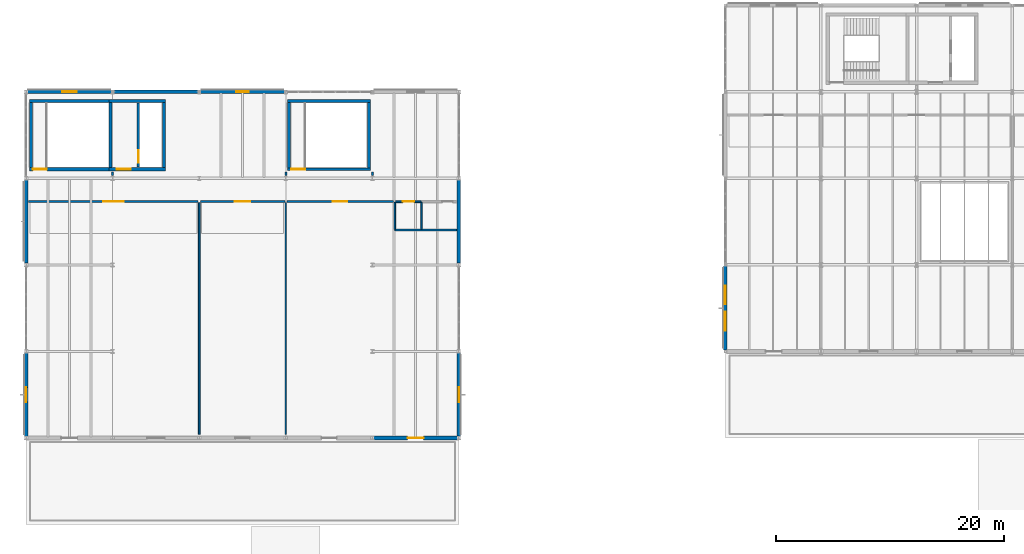
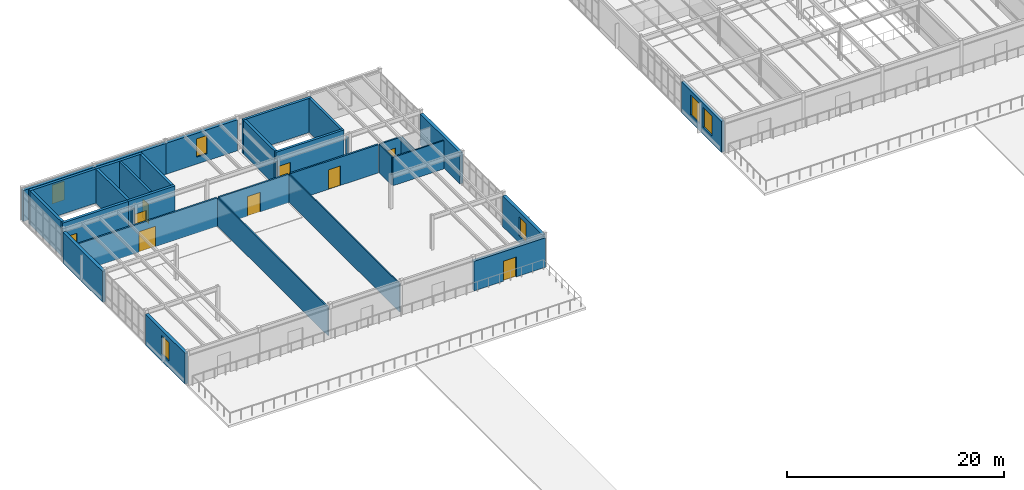
# One storey, part 90 of 114: 33 walls, 9 doors, 6 windows, 15 openings.
"""IFC4 building model written with IfcOpenShell, lengths in metres."""

from ifc_helpers import new_model, si_unit, direction, frame, frame_2d, origin, place, context, subcontext, project, spatial, rectangle, extrude, material, layer, layer_set, type_object, element, fill, save


model = new_model("IFC4")

# Units and contexts
model_context = context("Model", 3, precision=1e-05, world=origin(), true_north=direction((0.0, 1.0)))
body_context = subcontext(model_context, "Body", "Model", "MODEL_VIEW")
ifc_project = project(units=[si_unit("LENGTHUNIT", "METRE"), si_unit("AREAUNIT", "SQUARE_METRE"), si_unit("VOLUMEUNIT", "CUBIC_METRE"), si_unit("PLANEANGLEUNIT", "RADIAN"), si_unit("MASSUNIT", "GRAM", prefix="KILO")], contexts=[model_context])

# Site, building, storey
site_placement = place(None, origin())
site = spatial("IfcSite", under=ifc_project, at=site_placement, CompositionType="ELEMENT")
building_placement = place(site_placement, origin())
building = spatial("IfcBuilding", under=site, at=building_placement, Name="Montecoro Central Library", CompositionType="ELEMENT")
storey_placement = place(building_placement, frame((0.0, 0.0, 13.260009765625)))
storey = spatial("IfcBuildingStorey", under=building, at=storey_placement, Name="L03", CompositionType="ELEMENT", Elevation=13.260009765625)

# Wall, openings, windows
ifc_material_1 = material(Name="Roman travertine stone clad concrete C35/45", Category="masonry")
ifc_layer_1 = layer(ifc_material_1, 0.324951171875)
ifc_layer_set_1 = layer_set([ifc_layer_1], Name="Roman travertine stone clad concrete C35/45")
wall_type_1 = type_object("IfcWallType", Name="EW-TRV-325", PredefinedType="SOLIDWALL", material=ifc_layer_set_1)
wall_1_placement = place(storey_placement, frame((66.39990234375, 96.0869140625, 0.0), z_axis=(0.0, 0.0, 1.0), x_axis=(0.0, -1.0, 0.0)))
wall_1 = element("IfcWall", 1, at=wall_1_placement, inside=storey, type_object=wall_type_1, Name="V2-L03-EW-W0", PredefinedType="SOLIDWALL", context=body_context, shape_type="SweptSolid", body=[
    extrude(rectangle(XDim=7.3740234375, YDim=0.324951171875, at=frame_2d((3.68701171875, 0.0))), origin(), (0.0, 0.0, 1.0), 3.47998046875),
])
opening_1_placement = place(wall_1_placement, frame((1.7119140625, 0.0, 0.800048828125)))
opening_1 = element("IfcOpeningElement", 2, at=opening_1_placement, cuts=wall_1, Name="Opening WN-09", PredefinedType="OPENING", context=body_context, shape_type="SweptSolid", body=[
    extrude(rectangle(XDim=1.64990234375, YDim=2.25, at=frame_2d((0.824951171875, 1.125))), frame((0.0, 0.17236328125, 0.0), z_axis=(0.0, -1.0, 0.0), x_axis=(1.0, 0.0, 0.0)), (0.0, 0.0, 1.0), 0.344970703125),
])
opening_2_placement = place(wall_1_placement, frame((4.011962890625, 0.0, 0.800048828125)))
opening_2 = element("IfcOpeningElement", 3, at=opening_2_placement, cuts=wall_1, Name="Opening WN-09", PredefinedType="OPENING", context=body_context, shape_type="SweptSolid", body=[
    extrude(rectangle(XDim=1.64990234375, YDim=2.25, at=frame_2d((0.824951171875, 1.125))), frame((0.0, 0.17236328125, 0.0), z_axis=(0.0, -1.0, 0.0), x_axis=(1.0, 0.0, 0.0)), (0.0, 0.0, 1.0), 0.344970703125),
])
ifc_material_2 = material(Name="Laminated low-E double glazing", Category="glass")
window_type_1 = type_object("IfcWindowType", Name="WN-RDG-165", PartitioningType="SINGLE_PANEL", PredefinedType="WINDOW", material=ifc_material_2)
window_1_placement = place(opening_1_placement, origin())
window_1 = element("IfcWindow", 4, at=window_1_placement, inside=storey, type_object=window_type_1, Name="V2-L03-WN-W0-1", OverallHeight=2.25, OverallWidth=1.64990234375, PartitioningType="SINGLE_PANEL", PredefinedType="WINDOW", context=body_context, shape_type="SweptSolid", body=[
    extrude(rectangle(XDim=1.64990234375, YDim=2.25, at=frame_2d((0.824951171875, 1.125))), frame((0.0, 0.030029296875, 0.0), z_axis=(0.0, -1.0, 0.0), x_axis=(1.0, 0.0, 0.0)), (0.0, 0.0, 1.0), 0.06005859375),
])
fill(opening_1, window_1)
window_2_placement = place(opening_2_placement, origin())
window_2 = element("IfcWindow", 5, at=window_2_placement, inside=storey, type_object=window_type_1, Name="V2-L03-WN-W0-2", OverallHeight=2.25, OverallWidth=1.64990234375, PartitioningType="SINGLE_PANEL", PredefinedType="WINDOW", context=body_context, shape_type="SweptSolid", body=[
    extrude(rectangle(XDim=1.64990234375, YDim=2.25, at=frame_2d((0.824951171875, 1.125))), frame((0.0, 0.030029296875, 0.0), z_axis=(0.0, -1.0, 0.0), x_axis=(1.0, 0.0, 0.0)), (0.0, 0.0, 1.0), 0.06005859375),
])
fill(opening_2, window_2)

# Wall, opening, door
wall_2_placement = place(storey_placement, frame((35.404052734375, 81.0, 0.0), z_axis=(0.0, 0.0, 1.0), x_axis=(1.0, 0.0, 0.0)))
wall_2 = element("IfcWall", 6, at=wall_2_placement, inside=storey, type_object=wall_type_1, Name="V4-L03-EW-S4", PredefinedType="SOLIDWALL", context=body_context, shape_type="SweptSolid", body=[
    extrude(rectangle(XDim=7.592041015625, YDim=0.324951171875, at=frame_2d((3.7958984375, 0.0))), origin(), (0.0, 0.0, 1.0), 3.320068359375),
])
opening_3_placement = place(wall_2_placement, frame((3.095947265625, 0.0, 0.0)))
opening_3 = element("IfcOpeningElement", 7, at=opening_3_placement, cuts=wall_2, Name="Opening ED-07", PredefinedType="OPENING", context=body_context, shape_type="SweptSolid", body=[
    extrude(rectangle(XDim=1.39990234375, YDim=2.25, at=frame_2d((0.699951171875, 1.125))), frame((0.0, 0.17236328125, 0.0), z_axis=(0.0, -1.0, 0.0), x_axis=(1.0, 0.0, 0.0)), (0.0, 0.0, 1.0), 0.344970703125),
])
ifc_material_3 = material(Name="Thermally broken architectural bronze and safety glass", Category="glass")
door_type_1 = type_object("IfcDoorType", Name="ED-TER-140", OperationType="NOTDEFINED", PredefinedType="DOOR", material=ifc_material_3)
door_1_placement = place(opening_3_placement, origin())
door_1 = element("IfcDoor", 8, at=door_1_placement, inside=storey, type_object=door_type_1, Name="V4-L03-TD-S4", OperationType="SINGLE_SWING_LEFT", OverallHeight=2.25, OverallWidth=1.39990234375, PredefinedType="DOOR", context=body_context, shape_type="SweptSolid", body=[
    extrude(rectangle(XDim=1.39990234375, YDim=2.25, at=frame_2d((0.699951171875, 1.125))), frame((0.0, 0.02490234375, 0.0), z_axis=(0.0, -1.0, 0.0), x_axis=(1.0, 0.0, 0.0)), (0.0, 0.0, 1.0), 0.050048828125),
])
fill(opening_3, door_1)

# Wall, opening, window
wall_3_placement = place(storey_placement, frame((43.0, 81.14794921875, 0.0), z_axis=(0.0, 0.0, 1.0), x_axis=(0.0, 1.0, 0.0)))
wall_3 = element("IfcWall", 9, at=wall_3_placement, inside=storey, type_object=wall_type_1, Name="V4-L03-EW-E0", PredefinedType="SOLIDWALL", context=body_context, shape_type="SweptSolid", body=[
    extrude(rectangle(XDim=7.303955078125, YDim=0.324951171875, at=frame_2d((3.65185546875, 0.0))), origin(), (0.0, 0.0, 1.0), 3.47998046875),
])
opening_4_placement = place(wall_3_placement, frame((3.001953125, 0.0, 0.800048828125)))
opening_4 = element("IfcOpeningElement", 10, at=opening_4_placement, cuts=wall_3, Name="Opening WN-15", PredefinedType="OPENING", context=body_context, shape_type="SweptSolid", body=[
    extrude(rectangle(XDim=1.300048828125, YDim=2.1201171875, at=frame_2d((0.64990234375, 1.06005859375))), frame((0.0, 0.17236328125, 0.0), z_axis=(0.0, -1.0, 0.0), x_axis=(1.0, 0.0, 0.0)), (0.0, 0.0, 1.0), 0.344970703125),
])
ifc_material_4 = material(Name="Acoustic laminated double glazing", Category="glass")
window_type_2 = type_object("IfcWindowType", Name="WN-AUD-130", PartitioningType="SINGLE_PANEL", PredefinedType="WINDOW", material=ifc_material_4)
window_3_placement = place(opening_4_placement, origin())
window_3 = element("IfcWindow", 11, at=window_3_placement, inside=storey, type_object=window_type_2, Name="V4-L03-WN-E0-1", OverallHeight=2.1201171875, OverallWidth=1.300048828125, PartitioningType="SINGLE_PANEL", PredefinedType="WINDOW", context=body_context, shape_type="SweptSolid", body=[
    extrude(rectangle(XDim=1.300048828125, YDim=2.1201171875, at=frame_2d((0.64990234375, 1.06005859375))), frame((0.0, 0.030029296875, 0.0), z_axis=(0.0, -1.0, 0.0), x_axis=(1.0, 0.0, 0.0)), (0.0, 0.0, 1.0), 0.06005859375),
])
fill(opening_4, window_3)

# Wall
wall_4_placement = place(storey_placement, frame((43.0, 96.347900390625, 0.0), z_axis=(0.0, 0.0, 1.0), x_axis=(0.0, 1.0, 0.0)))
element("IfcWall", 12, at=wall_4_placement, inside=storey, type_object=wall_type_1, Name="V4-L03-EW-E2", PredefinedType="SOLIDWALL", context=body_context, shape_type="SweptSolid", body=[
    extrude(rectangle(XDim=7.30419921875, YDim=0.324951171875, at=frame_2d((3.652099609375, 0.0))), origin(), (0.0, 0.0, 1.0), 3.47998046875),
])

# Wall, opening, window
wall_5_placement = place(storey_placement, frame((27.7958984375, 111.39990234375, 0.0), z_axis=(0.0, 0.0, 1.0), x_axis=(-1.0, 0.0, 0.0)))
wall_5 = element("IfcWall", 13, at=wall_5_placement, inside=storey, type_object=wall_type_1, Name="V4-L03-EW-N2", PredefinedType="SOLIDWALL", context=body_context, shape_type="SweptSolid", body=[
    extrude(rectangle(XDim=7.591796875, YDim=0.324951171875, at=frame_2d((3.7958984375, 0.0))), origin(), (0.0, 0.0, 1.0), 3.47998046875),
])
opening_5_placement = place(wall_5_placement, frame((3.24609375, 0.0, 0.800048828125)))
opening_5 = element("IfcOpeningElement", 14, at=opening_5_placement, cuts=wall_5, Name="Opening WN-14", PredefinedType="OPENING", context=body_context, shape_type="SweptSolid", body=[
    extrude(rectangle(XDim=1.10009765625, YDim=2.050048828125, at=frame_2d((0.550048828125, 1.02490234375))), frame((0.0, 0.17236328125, 0.0), z_axis=(0.0, -1.0, 0.0), x_axis=(1.0, 0.0, 0.0)), (0.0, 0.0, 1.0), 0.344970703125),
])
window_type_3 = type_object("IfcWindowType", Name="WN-AUD-110", PartitioningType="SINGLE_PANEL", PredefinedType="WINDOW", material=ifc_material_4)
window_4_placement = place(opening_5_placement, origin())
window_4 = element("IfcWindow", 15, at=window_4_placement, inside=storey, type_object=window_type_3, Name="V4-L03-WN-N2-1", OverallHeight=2.050048828125, OverallWidth=1.10009765625, PartitioningType="SINGLE_PANEL", PredefinedType="WINDOW", context=body_context, shape_type="SweptSolid", body=[
    extrude(rectangle(XDim=1.10009765625, YDim=2.050048828125, at=frame_2d((0.550048828125, 1.02490234375))), frame((0.0, 0.030029296875, 0.0), z_axis=(0.0, -1.0, 0.0), x_axis=(1.0, 0.0, 0.0)), (0.0, 0.0, 1.0), 0.06005859375),
])
fill(opening_5, window_4)

# Wall
wall_6_placement = place(storey_placement, frame((20.196044921875, 111.39990234375, 0.0), z_axis=(0.0, 0.0, 1.0), x_axis=(-1.0, 0.0, 0.0)))
element("IfcWall", 16, at=wall_6_placement, inside=storey, type_object=wall_type_1, Name="V4-L03-EW-N1", PredefinedType="SOLIDWALL", context=body_context, shape_type="SweptSolid", body=[
    extrude(rectangle(XDim=7.592041015625, YDim=0.324951171875, at=frame_2d((3.7958984375, 0.0))), origin(), (0.0, 0.0, 1.0), 3.47998046875),
])

# Wall, opening, window
wall_7_placement = place(storey_placement, frame((12.595947265625, 111.39990234375, 0.0), z_axis=(0.0, 0.0, 1.0), x_axis=(-1.0, 0.0, 0.0)))
wall_7 = element("IfcWall", 17, at=wall_7_placement, inside=storey, type_object=wall_type_1, Name="V4-L03-EW-N0", PredefinedType="SOLIDWALL", context=body_context, shape_type="SweptSolid", body=[
    extrude(rectangle(XDim=7.592041015625, YDim=0.324951171875, at=frame_2d((3.7958984375, 0.0))), origin(), (0.0, 0.0, 1.0), 3.47998046875),
])
opening_6_placement = place(wall_7_placement, frame((3.14599609375, 0.0, 0.800048828125)))
opening_6 = element("IfcOpeningElement", 18, at=opening_6_placement, cuts=wall_7, Name="Opening WN-15", PredefinedType="OPENING", context=body_context, shape_type="SweptSolid", body=[
    extrude(rectangle(XDim=1.300048828125, YDim=2.1201171875, at=frame_2d((0.64990234375, 1.06005859375))), frame((0.0, 0.17236328125, 0.0), z_axis=(0.0, -1.0, 0.0), x_axis=(1.0, 0.0, 0.0)), (0.0, 0.0, 1.0), 0.344970703125),
])
window_5_placement = place(opening_6_placement, origin())
window_5 = element("IfcWindow", 19, at=window_5_placement, inside=storey, type_object=window_type_2, Name="V4-L03-WN-N0-1", OverallHeight=2.1201171875, OverallWidth=1.300048828125, PartitioningType="SINGLE_PANEL", PredefinedType="WINDOW", context=body_context, shape_type="SweptSolid", body=[
    extrude(rectangle(XDim=1.300048828125, YDim=2.1201171875, at=frame_2d((0.64990234375, 1.06005859375))), frame((0.0, 0.030029296875, 0.0), z_axis=(0.0, -1.0, 0.0), x_axis=(1.0, 0.0, 0.0)), (0.0, 0.0, 1.0), 0.06005859375),
])
fill(opening_6, window_5)

# Wall
wall_8_placement = place(storey_placement, frame((5.0, 103.652099609375, 0.0), z_axis=(0.0, 0.0, 1.0), x_axis=(0.0, -1.0, 0.0)))
element("IfcWall", 20, at=wall_8_placement, inside=storey, type_object=wall_type_1, Name="V4-L03-EW-W2", PredefinedType="SOLIDWALL", context=body_context, shape_type="SweptSolid", body=[
    extrude(rectangle(XDim=7.30419921875, YDim=0.324951171875, at=frame_2d((3.652099609375, 0.0))), origin(), (0.0, 0.0, 1.0), 3.47998046875),
])

# Wall, opening, window
wall_9_placement = place(storey_placement, frame((5.0, 88.451904296875, 0.0), z_axis=(0.0, 0.0, 1.0), x_axis=(0.0, -1.0, 0.0)))
wall_9 = element("IfcWall", 21, at=wall_9_placement, inside=storey, type_object=wall_type_1, Name="V4-L03-EW-W0", PredefinedType="SOLIDWALL", context=body_context, shape_type="SweptSolid", body=[
    extrude(rectangle(XDim=7.303955078125, YDim=0.324951171875, at=frame_2d((3.65185546875, 0.0))), origin(), (0.0, 0.0, 1.0), 3.47998046875),
])
opening_7_placement = place(wall_9_placement, frame((3.001953125, 0.0, 0.800048828125)))
opening_7 = element("IfcOpeningElement", 22, at=opening_7_placement, cuts=wall_9, Name="Opening WN-15", PredefinedType="OPENING", context=body_context, shape_type="SweptSolid", body=[
    extrude(rectangle(XDim=1.300048828125, YDim=2.1201171875, at=frame_2d((0.64990234375, 1.06005859375))), frame((0.0, 0.17236328125, 0.0), z_axis=(0.0, -1.0, 0.0), x_axis=(1.0, 0.0, 0.0)), (0.0, 0.0, 1.0), 0.344970703125),
])
window_6_placement = place(opening_7_placement, origin())
window_6 = element("IfcWindow", 23, at=window_6_placement, inside=storey, type_object=window_type_2, Name="V4-L03-WN-W0-1", OverallHeight=2.1201171875, OverallWidth=1.300048828125, PartitioningType="SINGLE_PANEL", PredefinedType="WINDOW", context=body_context, shape_type="SweptSolid", body=[
    extrude(rectangle(XDim=1.300048828125, YDim=2.1201171875, at=frame_2d((0.64990234375, 1.06005859375))), frame((0.0, 0.030029296875, 0.0), z_axis=(0.0, -1.0, 0.0), x_axis=(1.0, 0.0, 0.0)), (0.0, 0.0, 1.0), 0.06005859375),
])
fill(opening_7, window_6)

# Wall, opening, door
ifc_material_5 = material(Name="Gypsum fire-rated partition")
ifc_layer_2 = layer(ifc_material_5, 0.179931640625)
ifc_layer_set_2 = layer_set([ifc_layer_2], Name="Gypsum fire-rated partition")
wall_type_2 = type_object("IfcWallType", Name="IW-COR-180", PredefinedType="PARTITIONING", material=ifc_layer_set_2)
wall_10_placement = place(storey_placement, frame((5.199951171875, 101.75, 0.0), z_axis=(0.0, 0.0, 1.0), x_axis=(1.0, 0.0, 0.0)))
wall_10 = element("IfcWall", 24, at=wall_10_placement, inside=storey, type_object=wall_type_2, Name="CORW-V4-L03-01", PredefinedType="PARTITIONING", context=body_context, shape_type="SweptSolid", body=[
    extrude(rectangle(XDim=14.91015625, YDim=0.179931640625, at=frame_2d((7.455078125, 0.0))), origin(), (0.0, 0.0, 1.0), 3.179931640625),
])
opening_8_placement = place(wall_10_placement, frame((6.554931640625, 0.0, 0.0)))
opening_8 = element("IfcOpeningElement", 25, at=opening_8_placement, cuts=wall_10, Name="Opening ID-10", PredefinedType="OPENING", context=body_context, shape_type="SweptSolid", body=[
    extrude(rectangle(XDim=1.800048828125, YDim=2.300048828125, at=frame_2d((0.89990234375, 1.14990234375))), frame((0.0, 0.099853515625, 0.0), z_axis=(0.0, -1.0, 0.0), x_axis=(1.0, 0.0, 0.0)), (0.0, 0.0, 1.0), 0.199951171875),
])
ifc_material_6 = material(Name="Solid oak and fire-rated steel door", Category="steel")
door_type_2 = type_object("IfcDoorType", Name="ID-AUD-180", OperationType="NOTDEFINED", PredefinedType="DOOR", material=ifc_material_6)
door_2_placement = place(opening_8_placement, origin())
door_2 = element("IfcDoor", 26, at=door_2_placement, inside=storey, type_object=door_type_2, Name="DR-SP-V4-L03-R1P1", OperationType="DOUBLE_DOOR_SINGLE_SWING", OverallHeight=2.300048828125, OverallWidth=1.800048828125, PredefinedType="DOOR", context=body_context, shape_type="SweptSolid", body=[
    extrude(rectangle(XDim=1.800048828125, YDim=2.300048828125, at=frame_2d((0.89990234375, 1.14990234375))), frame((0.0, 0.02490234375, 0.0), z_axis=(0.0, -1.0, 0.0), x_axis=(1.0, 0.0, 0.0)), (0.0, 0.0, 1.0), 0.050048828125),
])
fill(opening_8, door_2)

wall_11_placement = place(storey_placement, frame((20.2900390625, 101.75, 0.0), z_axis=(0.0, 0.0, 1.0), x_axis=(1.0, 0.0, 0.0)))
wall_11 = element("IfcWall", 27, at=wall_11_placement, inside=storey, type_object=wall_type_2, Name="CORW-V4-L03-02", PredefinedType="PARTITIONING", context=body_context, shape_type="SweptSolid", body=[
    extrude(rectangle(XDim=7.419921875, YDim=0.179931640625, at=frame_2d((3.7099609375, 0.0))), origin(), (0.0, 0.0, 1.0), 3.179931640625),
])
opening_9_placement = place(wall_11_placement, frame((3.010009765625, 0.0, 0.0)))
opening_9 = element("IfcOpeningElement", 28, at=opening_9_placement, cuts=wall_11, Name="Opening ID-08", PredefinedType="OPENING", context=body_context, shape_type="SweptSolid", body=[
    extrude(rectangle(XDim=1.39990234375, YDim=2.219970703125, at=frame_2d((0.699951171875, 1.10986328125))), frame((0.0, 0.099853515625, 0.0), z_axis=(0.0, -1.0, 0.0), x_axis=(1.0, 0.0, 0.0)), (0.0, 0.0, 1.0), 0.199951171875),
])
door_type_3 = type_object("IfcDoorType", Name="ID-RDG-140", OperationType="NOTDEFINED", PredefinedType="DOOR", material=ifc_material_6)
door_3_placement = place(opening_9_placement, origin())
door_3 = element("IfcDoor", 29, at=door_3_placement, inside=storey, type_object=door_type_3, Name="DR-SP-V4-L03-R2P1", OperationType="SINGLE_SWING_LEFT", OverallHeight=2.219970703125, OverallWidth=1.39990234375, PredefinedType="DOOR", context=body_context, shape_type="SweptSolid", body=[
    extrude(rectangle(XDim=1.39990234375, YDim=2.219970703125, at=frame_2d((0.699951171875, 1.10986328125))), frame((0.0, 0.02490234375, 0.0), z_axis=(0.0, -1.0, 0.0), x_axis=(1.0, 0.0, 0.0)), (0.0, 0.0, 1.0), 0.050048828125),
])
fill(opening_9, door_3)

wall_12_placement = place(storey_placement, frame((27.889892578125, 101.75, 0.0), z_axis=(0.0, 0.0, 1.0), x_axis=(1.0, 0.0, 0.0)))
wall_12 = element("IfcWall", 30, at=wall_12_placement, inside=storey, type_object=wall_type_2, Name="CORW-V4-L03-03", PredefinedType="PARTITIONING", context=body_context, shape_type="SweptSolid", body=[
    extrude(rectangle(XDim=9.3701171875, YDim=0.179931640625, at=frame_2d((4.68505859375, 0.0))), origin(), (0.0, 0.0, 1.0), 3.179931640625),
])
opening_10_placement = place(wall_12_placement, frame((4.054931640625, 0.0, 0.0)))
opening_10 = element("IfcOpeningElement", 31, at=opening_10_placement, cuts=wall_12, Name="Opening ID-09", PredefinedType="OPENING", context=body_context, shape_type="SweptSolid", body=[
    extrude(rectangle(XDim=1.260009765625, YDim=2.199951171875, at=frame_2d((0.6298828125, 1.10009765625))), frame((0.0, 0.099853515625, 0.0), z_axis=(0.0, -1.0, 0.0), x_axis=(1.0, 0.0, 0.0)), (0.0, 0.0, 1.0), 0.199951171875),
])
door_type_4 = type_object("IfcDoorType", Name="ID-RDG-126", OperationType="NOTDEFINED", PredefinedType="DOOR", material=ifc_material_6)
door_4_placement = place(opening_10_placement, origin())
door_4 = element("IfcDoor", 32, at=door_4_placement, inside=storey, type_object=door_type_4, Name="DR-SP-V4-L03-R3P1", OperationType="SINGLE_SWING_RIGHT", OverallHeight=2.199951171875, OverallWidth=1.260009765625, PredefinedType="DOOR", context=body_context, shape_type="SweptSolid", body=[
    extrude(rectangle(XDim=1.260009765625, YDim=2.199951171875, at=frame_2d((0.6298828125, 1.10009765625))), frame((0.0, 0.02490234375, 0.0), z_axis=(0.0, -1.0, 0.0), x_axis=(1.0, 0.0, 0.0)), (0.0, 0.0, 1.0), 0.050048828125),
])
fill(opening_10, door_4)

# Walls
for number, where, z_axis, x_axis, name in (
    (33, (12.60009765625, 104.0400390625, 0.0), (0.0, 0.0, 1.0), (0.0, 1.0, 0.0), "PIL-V4-L03-1"),
    (34, (27.800048828125, 104.0400390625, 0.0), (0.0, 0.0, 1.0), (0.0, 1.0, 0.0), "PIL-V4-L03-2"),
    (35, (35.39990234375, 104.0400390625, 0.0), (0.0, 0.0, 1.0), (0.0, 1.0, 0.0), "PIL-V4-L03-3"),
):
    element("IfcWall", number, at=place(storey_placement, frame(where, z_axis=z_axis, x_axis=x_axis)), inside=storey, type_object=wall_type_2, Name=name, PredefinedType="PARTITIONING", context=body_context, shape_type="SweptSolid", body=[
        extrude(rectangle(XDim=0.320068359375, YDim=0.179931640625, at=frame_2d((0.16015625, 0.0))), origin(), (0.0, 0.0, 1.0), 3.179931640625),
    ])

# Wall, opening, door
ifc_material_7 = material(Name="Concrete C32/40", Category="concrete")
ifc_layer_3 = layer(ifc_material_7, 0.219970703125)
ifc_layer_set_3 = layer_set([ifc_layer_3], Name="Concrete C32/40")
wall_type_3 = type_object("IfcWallType", Name="IW-FFL-220", PredefinedType="SOLIDWALL", material=ifc_layer_set_3)
wall_13_placement = place(storey_placement, frame((14.85009765625, 104.800048828125, 0.0), z_axis=(0.0, 0.0, 1.0), x_axis=(0.0, 1.0, 0.0)))
wall_13 = element("IfcWall", 36, at=wall_13_placement, inside=storey, type_object=wall_type_3, Name="C5-L03-WLSH", PredefinedType="SOLIDWALL", context=body_context, shape_type="SweptSolid", body=[
    extrude(rectangle(XDim=5.599853515625, YDim=0.219970703125, at=frame_2d((2.7998046875, 0.0))), origin(), (0.0, 0.0, 1.0), 3.844970703125),
])
opening_11_placement = place(wall_13_placement, frame((0.35009765625, 0.0, 0.0)))
opening_11 = element("IfcOpeningElement", 37, at=opening_11_placement, cuts=wall_13, Name="Opening LD-01", PredefinedType="OPENING", context=body_context, shape_type="SweptSolid", body=[
    extrude(rectangle(XDim=1.10009765625, YDim=2.14990234375, at=frame_2d((0.550048828125, 1.074951171875))), frame((0.0, 0.119873046875, 0.0), z_axis=(0.0, -1.0, 0.0), x_axis=(1.0, 0.0, 0.0)), (0.0, 0.0, 1.0), 0.239990234375),
])
door_type_5 = type_object("IfcDoorType", Name="LD-LIFT-110", OperationType="NOTDEFINED", PredefinedType="DOOR", material=ifc_material_6)
door_5_placement = place(opening_11_placement, origin())
door_5 = element("IfcDoor", 38, at=door_5_placement, inside=storey, type_object=door_type_5, Name="C5-L03-LD-PL-05", OperationType="SLIDING_TO_LEFT", OverallHeight=2.14990234375, OverallWidth=1.10009765625, PredefinedType="DOOR", context=body_context, shape_type="SweptSolid", body=[
    extrude(rectangle(XDim=1.10009765625, YDim=2.14990234375, at=frame_2d((0.550048828125, 1.074951171875))), frame((0.0, 0.02490234375, 0.0), z_axis=(0.0, -1.0, 0.0), x_axis=(1.0, 0.0, 0.0)), (0.0, 0.0, 1.0), 0.050048828125),
])
fill(opening_11, door_5)

# Walls
ifc_material_8 = material(Name="Gypsum metal-stud partition")
ifc_layer_4 = layer(ifc_material_8, 0.1201171875)
ifc_layer_set_4 = layer_set([ifc_layer_4], Name="Gypsum metal-stud partition")
wall_type_4 = type_object("IfcWallType", Name="IW-PRT-120", PredefinedType="PARTITIONING", material=ifc_layer_set_4)
wall_14_placement = place(storey_placement, frame((27.800048828125, 81.320068359375, 0.0), z_axis=(0.0, 0.0, 1.0), x_axis=(0.0, 1.0, 0.0)))
element("IfcWall", 39, at=wall_14_placement, inside=storey, type_object=wall_type_4, Name="DIVW-V4-L03-02-1", PredefinedType="PARTITIONING", context=body_context, shape_type="SweptSolid", body=[
    extrude(rectangle(XDim=20.33984375, YDim=0.1201171875, at=frame_2d((10.169921875, 0.0))), origin(), (0.0, 0.0, 1.0), 3.179931640625),
])
ifc_layer_5 = layer(ifc_material_8, 0.139892578125)
ifc_layer_set_5 = layer_set([ifc_layer_5], Name="Gypsum metal-stud partition")
wall_type_5 = type_object("IfcWallType", Name="IW-PRT-140", PredefinedType="PARTITIONING", material=ifc_layer_set_5)
wall_15_placement = place(storey_placement, frame((20.199951171875, 81.320068359375, 0.0), z_axis=(0.0, 0.0, 1.0), x_axis=(0.0, 1.0, 0.0)))
element("IfcWall", 40, at=wall_15_placement, inside=storey, type_object=wall_type_5, Name="DIVW-V4-L03-01-1", PredefinedType="PARTITIONING", context=body_context, shape_type="SweptSolid", body=[
    extrude(rectangle(XDim=20.33984375, YDim=0.139892578125, at=frame_2d((10.169921875, 0.0))), origin(), (0.0, 0.0, 1.0), 3.179931640625),
])

# Wall, opening, door
ifc_material_9 = material(Name="Concrete C35/45", Category="concrete")
ifc_layer_6 = layer(ifc_material_9, 0.260009765625)
ifc_layer_set_6 = layer_set([ifc_layer_6], Name="Concrete C35/45")
wall_type_6 = type_object("IfcWallType", Name="IW-SHR-260", PredefinedType="SHEAR", material=ifc_layer_set_6)
wall_16_placement = place(storey_placement, frame((27.969970703125, 104.60009765625, 0.0), z_axis=(0.0, 0.0, 1.0), x_axis=(1.0, 0.0, 0.0)))
wall_16 = element("IfcWall", 41, at=wall_16_placement, inside=storey, type_object=wall_type_6, Name="C9-L03-WS", PredefinedType="SHEAR", context=body_context, shape_type="SweptSolid", body=[
    extrude(rectangle(XDim=7.260009765625, YDim=0.260009765625, at=frame_2d((3.6298828125, 0.0))), origin(), (0.0, 0.0, 1.0), 3.844970703125),
])
opening_12_placement = place(wall_16_placement, frame((0.31005859375, 0.0, 0.0)))
opening_12 = element("IfcOpeningElement", 42, at=opening_12_placement, cuts=wall_16, Name="Opening ID-01", PredefinedType="OPENING", context=body_context, shape_type="SweptSolid", body=[
    extrude(rectangle(XDim=1.219970703125, YDim=2.179931640625, at=frame_2d((0.60986328125, 1.08984375))), frame((0.0, 0.139892578125, 0.0), z_axis=(0.0, -1.0, 0.0), x_axis=(1.0, 0.0, 0.0)), (0.0, 0.0, 1.0), 0.280029296875),
])
door_type_6 = type_object("IfcDoorType", Name="ID-STR-140", OperationType="NOTDEFINED", PredefinedType="DOOR", material=ifc_material_6)
door_6_placement = place(opening_12_placement, origin())
door_6 = element("IfcDoor", 43, at=door_6_placement, inside=storey, type_object=door_type_6, Name="C9-L03-DSTR", OperationType="SINGLE_SWING_LEFT", OverallHeight=2.179931640625, OverallWidth=1.219970703125, PredefinedType="DOOR", context=body_context, shape_type="SweptSolid", body=[
    extrude(rectangle(XDim=1.219970703125, YDim=2.179931640625, at=frame_2d((0.60986328125, 1.08984375))), frame((0.0, 0.02490234375, 0.0), z_axis=(0.0, -1.0, 0.0), x_axis=(1.0, 0.0, 0.0)), (0.0, 0.0, 1.0), 0.050048828125),
])
fill(opening_12, door_6)

# Walls
wall_17_placement = place(storey_placement, frame((27.969970703125, 110.60009765625, 0.0), z_axis=(0.0, 0.0, 1.0), x_axis=(1.0, 0.0, 0.0)))
element("IfcWall", 44, at=wall_17_placement, inside=storey, type_object=wall_type_6, Name="C9-L03-WN", PredefinedType="SHEAR", context=body_context, shape_type="SweptSolid", body=[
    extrude(rectangle(XDim=7.260009765625, YDim=0.260009765625, at=frame_2d((3.6298828125, 0.0))), origin(), (0.0, 0.0, 1.0), 3.844970703125),
])
for number, where, z_axis, x_axis, name in (
    (45, (28.10009765625, 104.72998046875, 0.0), (0.0, 0.0, 1.0), (0.0, 1.0, 0.0), "C9-L03-WW"),
    (46, (35.10009765625, 104.72998046875, 0.0), (0.0, 0.0, 1.0), (0.0, 1.0, 0.0), "C9-L03-WE"),
):
    element("IfcWall", number, at=place(storey_placement, frame(where, z_axis=z_axis, x_axis=x_axis)), inside=storey, type_object=wall_type_6, Name=name, PredefinedType="SHEAR", context=body_context, shape_type="SweptSolid", body=[
        extrude(rectangle(XDim=5.739990234375, YDim=0.260009765625, at=frame_2d((2.8701171875, 0.0))), origin(), (0.0, 0.0, 1.0), 3.844970703125),
    ])

# Wall, opening, door
ifc_layer_7 = layer(ifc_material_9, 0.280029296875)
ifc_layer_set_7 = layer_set([ifc_layer_7], Name="Concrete C35/45")
wall_type_7 = type_object("IfcWallType", Name="IW-SHR-280", PredefinedType="SHEAR", material=ifc_layer_set_7)
wall_18_placement = place(storey_placement, frame((12.280029296875, 104.60009765625, 0.0), z_axis=(0.0, 0.0, 1.0), x_axis=(1.0, 0.0, 0.0)))
wall_18 = element("IfcWall", 47, at=wall_18_placement, inside=storey, type_object=wall_type_7, Name="C5-L03-LWS", PredefinedType="SHEAR", context=body_context, shape_type="SweptSolid", body=[
    extrude(rectangle(XDim=4.9599609375, YDim=0.280029296875, at=frame_2d((2.47998046875, 0.0))), origin(), (0.0, 0.0, 1.0), 3.844970703125),
])
opening_13_placement = place(wall_18_placement, frame((0.68994140625, 0.0, 0.0)))
opening_13 = element("IfcOpeningElement", 48, at=opening_13_placement, cuts=wall_18, Name="Opening ID-03", PredefinedType="OPENING", context=body_context, shape_type="SweptSolid", body=[
    extrude(rectangle(XDim=1.199951171875, YDim=2.159912109375, at=frame_2d((0.60009765625, 1.080078125))), frame((0.0, 0.14990234375, 0.0), z_axis=(0.0, -1.0, 0.0), x_axis=(1.0, 0.0, 0.0)), (0.0, 0.0, 1.0), 0.300048828125),
])
door_type_7 = type_object("IfcDoorType", Name="ID-FFL-120", OperationType="NOTDEFINED", PredefinedType="DOOR", material=ifc_material_6)
door_7_placement = place(opening_13_placement, origin())
door_7 = element("IfcDoor", 49, at=door_7_placement, inside=storey, type_object=door_type_7, Name="C5-L03-DLOB", OperationType="SINGLE_SWING_LEFT", OverallHeight=2.159912109375, OverallWidth=1.199951171875, PredefinedType="DOOR", context=body_context, shape_type="SweptSolid", body=[
    extrude(rectangle(XDim=1.199951171875, YDim=2.159912109375, at=frame_2d((0.60009765625, 1.080078125))), frame((0.0, 0.02490234375, 0.0), z_axis=(0.0, -1.0, 0.0), x_axis=(1.0, 0.0, 0.0)), (0.0, 0.0, 1.0), 0.050048828125),
])
fill(opening_13, door_7)

# Walls
wall_19_placement = place(storey_placement, frame((17.239990234375, 110.60009765625, 0.0), z_axis=(0.0, 0.0, 1.0), x_axis=(-1.0, 0.0, 0.0)))
element("IfcWall", 50, at=wall_19_placement, inside=storey, type_object=wall_type_7, Name="C5-L03-LWN", PredefinedType="SHEAR", context=body_context, shape_type="SweptSolid", body=[
    extrude(rectangle(XDim=4.9599609375, YDim=0.280029296875, at=frame_2d((2.47998046875, 0.0))), origin(), (0.0, 0.0, 1.0), 3.844970703125),
])
wall_20_placement = place(storey_placement, frame((17.10009765625, 104.739990234375, 0.0), z_axis=(0.0, 0.0, 1.0), x_axis=(0.0, 1.0, 0.0)))
element("IfcWall", 51, at=wall_20_placement, inside=storey, type_object=wall_type_7, Name="C5-L03-LWE", PredefinedType="SHEAR", context=body_context, shape_type="SweptSolid", body=[
    extrude(rectangle(XDim=5.719970703125, YDim=0.280029296875, at=frame_2d((2.85986328125, 0.0))), origin(), (0.0, 0.0, 1.0), 3.844970703125),
])

# Wall, opening, door
wall_21_placement = place(storey_placement, frame((5.280029296875, 104.60009765625, 0.0), z_axis=(0.0, 0.0, 1.0), x_axis=(1.0, 0.0, 0.0)))
wall_21 = element("IfcWall", 52, at=wall_21_placement, inside=storey, type_object=wall_type_7, Name="C5-L03-WS", PredefinedType="SHEAR", context=body_context, shape_type="SweptSolid", body=[
    extrude(rectangle(XDim=7.280029296875, YDim=0.280029296875, at=frame_2d((3.64013671875, 0.0))), origin(), (0.0, 0.0, 1.0), 3.844970703125),
])
opening_14_placement = place(wall_21_placement, frame((0.320068359375, 0.0, 0.0)))
opening_14 = element("IfcOpeningElement", 53, at=opening_14_placement, cuts=wall_21, Name="Opening ID-01", PredefinedType="OPENING", context=body_context, shape_type="SweptSolid", body=[
    extrude(rectangle(XDim=1.219970703125, YDim=2.179931640625, at=frame_2d((0.60986328125, 1.08984375))), frame((0.0, 0.14990234375, 0.0), z_axis=(0.0, -1.0, 0.0), x_axis=(1.0, 0.0, 0.0)), (0.0, 0.0, 1.0), 0.300048828125),
])
door_8_placement = place(opening_14_placement, origin())
door_8 = element("IfcDoor", 54, at=door_8_placement, inside=storey, type_object=door_type_6, Name="C5-L03-DSTR", OperationType="SINGLE_SWING_RIGHT", OverallHeight=2.179931640625, OverallWidth=1.219970703125, PredefinedType="DOOR", context=body_context, shape_type="SweptSolid", body=[
    extrude(rectangle(XDim=1.219970703125, YDim=2.179931640625, at=frame_2d((0.60986328125, 1.08984375))), frame((0.0, 0.02490234375, 0.0), z_axis=(0.0, -1.0, 0.0), x_axis=(1.0, 0.0, 0.0)), (0.0, 0.0, 1.0), 0.050048828125),
])
fill(opening_14, door_8)

# Walls
wall_22_placement = place(storey_placement, frame((5.280029296875, 110.60009765625, 0.0), z_axis=(0.0, 0.0, 1.0), x_axis=(1.0, 0.0, 0.0)))
element("IfcWall", 55, at=wall_22_placement, inside=storey, type_object=wall_type_7, Name="C5-L03-WN", PredefinedType="SHEAR", context=body_context, shape_type="SweptSolid", body=[
    extrude(rectangle(XDim=7.280029296875, YDim=0.280029296875, at=frame_2d((3.64013671875, 0.0))), origin(), (0.0, 0.0, 1.0), 3.844970703125),
])
for number, where, z_axis, x_axis, name in (
    (56, (5.419921875, 104.739990234375, 0.0), (0.0, 0.0, 1.0), (0.0, 1.0, 0.0), "C5-L03-WW"),
    (57, (12.419921875, 104.739990234375, 0.0), (0.0, 0.0, 1.0), (0.0, 1.0, 0.0), "C5-L03-WE"),
):
    element("IfcWall", number, at=place(storey_placement, frame(where, z_axis=z_axis, x_axis=x_axis)), inside=storey, type_object=wall_type_7, Name=name, PredefinedType="SHEAR", context=body_context, shape_type="SweptSolid", body=[
        extrude(rectangle(XDim=5.719970703125, YDim=0.280029296875, at=frame_2d((2.85986328125, 0.0))), origin(), (0.0, 0.0, 1.0), 3.844970703125),
    ])
ifc_material_10 = material(Name="Moisture-resistant ceramic-tiled partition")
ifc_layer_8 = layer(ifc_material_10, 0.14990234375)
ifc_layer_set_8 = layer_set([ifc_layer_8], Name="Moisture-resistant ceramic-tiled partition")
wall_type_8 = type_object("IfcWallType", Name="IW-WET-150", PredefinedType="PARTITIONING", material=ifc_layer_set_8)
wall_23_placement = place(storey_placement, frame((37.3798828125, 99.27001953125, 0.0), z_axis=(0.0, 0.0, 1.0), x_axis=(1.0, 0.0, 0.0)))
element("IfcWall", 58, at=wall_23_placement, inside=storey, type_object=wall_type_8, Name="WC-V4-L03-WBK", PredefinedType="PARTITIONING", context=body_context, shape_type="SweptSolid", body=[
    extrude(rectangle(XDim=5.420166015625, YDim=0.14990234375, at=frame_2d((2.7099609375, 0.0))), origin(), (0.0, 0.0, 1.0), 3.179931640625),
])
for number, where, z_axis, x_axis, name in (
    (59, (37.3798828125, 99.330078125, 0.0), (0.0, 0.0, 1.0), (0.0, 1.0, 0.0), "WC-V4-L03-WW"),
    (60, (39.72998046875, 99.330078125, 0.0), (0.0, 0.0, 1.0), (0.0, 1.0, 0.0), "WC-V4-L03-WM"),
):
    element("IfcWall", number, at=place(storey_placement, frame(where, z_axis=z_axis, x_axis=x_axis)), inside=storey, type_object=wall_type_8, Name=name, PredefinedType="PARTITIONING", context=body_context, shape_type="SweptSolid", body=[
        extrude(rectangle(XDim=2.35986328125, YDim=0.14990234375, at=frame_2d((1.179931640625, 0.0))), origin(), (0.0, 0.0, 1.0), 3.179931640625),
    ])

# Wall, opening, door
wall_24_placement = place(storey_placement, frame((37.43994140625, 101.75, 0.0), z_axis=(0.0, 0.0, 1.0), x_axis=(1.0, 0.0, 0.0)))
wall_24 = element("IfcWall", 61, at=wall_24_placement, inside=storey, type_object=wall_type_8, Name="WC-V4-L03-WFA", PredefinedType="PARTITIONING", context=body_context, shape_type="SweptSolid", body=[
    extrude(rectangle(XDim=2.25, YDim=0.14990234375, at=frame_2d((1.125, 0.0))), origin(), (0.0, 0.0, 1.0), 3.179931640625),
])
opening_15_placement = place(wall_24_placement, frame((0.625, 0.0, 0.0)))
opening_15 = element("IfcOpeningElement", 62, at=opening_15_placement, cuts=wall_24, Name="Opening ID-15", PredefinedType="OPENING", context=body_context, shape_type="SweptSolid", body=[
    extrude(rectangle(XDim=1.0, YDim=2.14990234375, at=frame_2d((0.5, 1.074951171875))), frame((0.0, 0.0849609375, 0.0), z_axis=(0.0, -1.0, 0.0), x_axis=(1.0, 0.0, 0.0)), (0.0, 0.0, 1.0), 0.169921875),
])
door_type_8 = type_object("IfcDoorType", Name="ID-AWC-100", OperationType="NOTDEFINED", PredefinedType="DOOR", material=ifc_material_6)
door_9_placement = place(opening_15_placement, origin())
door_9 = element("IfcDoor", 63, at=door_9_placement, inside=storey, type_object=door_type_8, Name="DR-SP-V4-L03-AWC", OperationType="SINGLE_SWING_LEFT", OverallHeight=2.14990234375, OverallWidth=1.0, PredefinedType="DOOR", context=body_context, shape_type="SweptSolid", body=[
    extrude(rectangle(XDim=1.0, YDim=2.14990234375, at=frame_2d((0.5, 1.074951171875))), frame((0.0, 0.02490234375, 0.0), z_axis=(0.0, -1.0, 0.0), x_axis=(1.0, 0.0, 0.0)), (0.0, 0.0, 1.0), 0.050048828125),
])
fill(opening_15, door_9)

save(model, "model.ifc")
